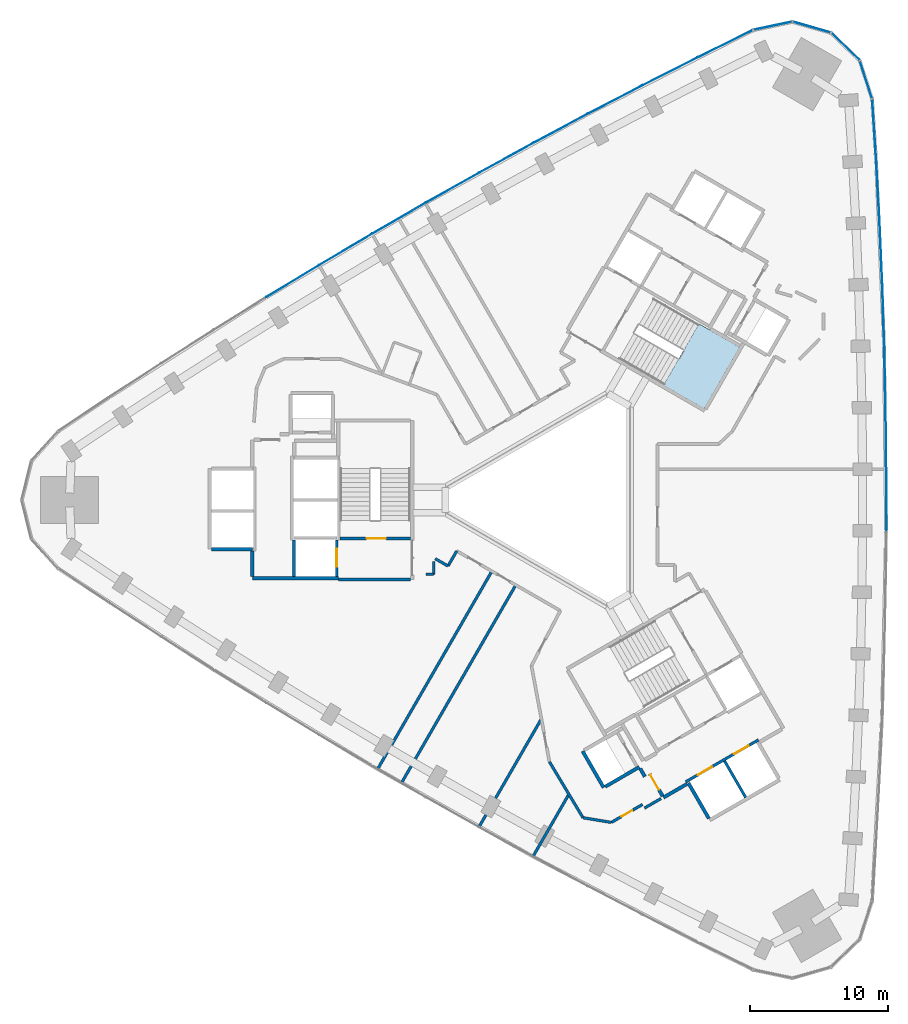
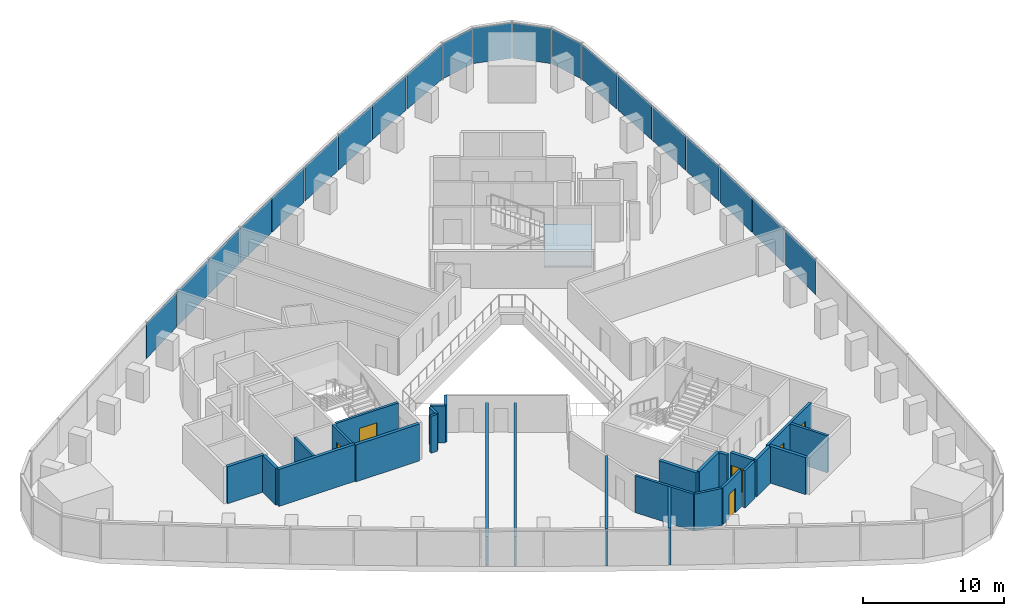
# One storey, part 7 of 12: 27 walls, 20 plates, 6 doors, 1 slab, 6 openings, 3 elements without a shape of their own.
"""IFC4 building model written with IfcOpenShell, lengths in metres."""

import ifcopenshell
import ifcopenshell.guid

model = None  # the IFC model being written
_history = None  # IfcOwnerHistory: only IFC2X3 demands one
_inside = {}  # id of a spatial element -> (the spatial element, [elements in it])
_under = {}  # id of a project, library or spatial element -> (it, [spatial elements below it])
_declared = {}  # id of a project -> (the project, [libraries it declares])
_typed = {}  # id of a type object -> (the type object, [elements of that type])
_made_of = {}  # id of a material, layer set ... -> (it, [elements and type objects made of it])


def new_model(schema):
    """Start an empty IFC model of exactly this schema.

    Asked for "IFC4X3", IfcOpenShell would pick the latest addendum, in which some entities
    have other attributes; the version numbers below select the first issue.
    IFC2X3 requires an IfcOwnerHistory on every rooted entity: one is made here for all.
    """
    global model, _history
    if schema == "IFC4X3":
        model = ifcopenshell.file(schema_version=(4, 3, 0, 0))
    else:
        model = ifcopenshell.file(schema=schema)
    _inside.clear()
    _under.clear()
    _declared.clear()
    _typed.clear()
    _made_of.clear()
    _history = None
    if model.schema == "IFC2X3":
        org = make("IfcOrganization", Name="unknown")
        user = make(
            "IfcPersonAndOrganization",
            ThePerson=make("IfcPerson", FamilyName="unknown"),
            TheOrganization=org,
        )
        app = make(
            "IfcApplication",
            ApplicationDeveloper=org,
            Version="unknown",
            ApplicationFullName="unknown",
            ApplicationIdentifier="unknown",
        )
        _history = make(
            "IfcOwnerHistory",
            OwningUser=user,
            OwningApplication=app,
            ChangeAction="ADDED",
            CreationDate=0,
        )
    return model


def make(cls, **values):
    """One entity of the class cls with the attributes given. An attribute that is None is left unset."""
    return model.create_entity(
        cls, **{name: value for name, value in values.items() if value is not None}
    )


def rooted(cls, **values):
    """An entity with a GlobalId (a new one), such as an element, a storey or a relation."""
    return make(cls, GlobalId=ifcopenshell.guid.new(), OwnerHistory=_history, **values)


def si_unit(unit_type, name, prefix=None):
    """IfcSIUnit, for example si_unit("LENGTHUNIT", "METRE", prefix="MILLI")."""
    return make("IfcSIUnit", UnitType=unit_type, Prefix=prefix, Name=name)


def assignment(units):
    """IfcUnitAssignment: the units of a project."""
    return None if units is None else make("IfcUnitAssignment", Units=units)


def point(xyz):
    """IfcCartesianPoint."""
    return None if xyz is None else make("IfcCartesianPoint", Coordinates=xyz)


def direction(xyz):
    """IfcDirection."""
    return None if xyz is None else make("IfcDirection", DirectionRatios=xyz)


def frame(location, z_axis=None, x_axis=None):
    """IfcAxis2Placement3D, a coordinate frame: its origin and axes. An axis left out is left unset."""
    return make(
        "IfcAxis2Placement3D",
        Location=point(location),
        Axis=direction(z_axis),
        RefDirection=direction(x_axis),
    )


def frame_2d(location, x_axis=None):
    """IfcAxis2Placement2D, a coordinate frame in the plane: its origin and x axis."""
    return make(
        "IfcAxis2Placement2D", Location=point(location), RefDirection=direction(x_axis)
    )


def origin():
    """The frame at (0, 0, 0) with its axes left unset."""
    return frame((0.0, 0.0, 0.0))


def origin_2d():
    """The frame at (0, 0) in the plane with its x axis left unset."""
    return frame_2d((0.0, 0.0))


def place(relative_to, where):
    """IfcLocalPlacement: puts the frame where relative to a parent placement (None: the world)."""
    return make(
        "IfcLocalPlacement", PlacementRelTo=relative_to, RelativePlacement=where
    )


def context(
    kind, dimensions, precision=None, world=None, true_north=None, identifier=None
):
    """IfcGeometricRepresentationContext, for example the 3D "Model" context."""
    return make(
        "IfcGeometricRepresentationContext",
        ContextIdentifier=identifier,
        ContextType=kind,
        CoordinateSpaceDimension=dimensions,
        Precision=precision,
        WorldCoordinateSystem=world,
        TrueNorth=true_north,
    )


def subcontext(parent, identifier, kind, view, scale=None):
    """IfcGeometricRepresentationSubContext, for example "Body" below "Model"."""
    return make(
        "IfcGeometricRepresentationSubContext",
        ContextIdentifier=identifier,
        ContextType=kind,
        ParentContext=parent,
        TargetScale=scale,
        TargetView=view,
    )


def project(units=None, contexts=None):
    """IfcProject with its units and contexts."""
    return rooted(
        "IfcProject",
        Name="project",
        RepresentationContexts=contexts,
        UnitsInContext=assignment(units),
    )


def spatial(cls, under=None, at=None, **own):
    """A site, building, storey or space (cls), placed at a placement, below another one or the project."""
    s = rooted(cls, ObjectPlacement=at, **own)
    if under is not None:
        _under.setdefault(under.id(), (under, []))[1].append(s)
    return s


def polyline(points):
    """IfcPolyline through the points."""
    return make("IfcPolyline", Points=[point(p) for p in points])


def profile(cls, at=None, kind="AREA", **sizes):
    """A parametric profile (cls). Its sizes go by their IFC names, for example OverallWidth=200.0."""
    return make(cls, ProfileType=kind, Position=at, **sizes)


def rectangle(**sizes):
    """IfcRectangleProfileDef."""
    return profile("IfcRectangleProfileDef", **sizes)


def outline(outer, holes=None, kind="AREA"):
    """IfcArbitraryClosedProfileDef: a profile drawn as a closed curve; with holes, ...WithVoids."""
    if holes is None:
        return make("IfcArbitraryClosedProfileDef", ProfileType=kind, OuterCurve=outer)
    return make(
        "IfcArbitraryProfileDefWithVoids",
        ProfileType=kind,
        OuterCurve=outer,
        InnerCurves=holes,
    )


def extrude(swept, where, along, depth):
    """IfcExtrudedAreaSolid: the profile swept, set in the frame where, extruded along a direction by depth."""
    return make(
        "IfcExtrudedAreaSolid",
        SweptArea=swept,
        Position=where,
        ExtrudedDirection=direction(along),
        Depth=depth,
    )


def shape(context_of_items, identifier, shape_type, items):
    """IfcShapeRepresentation: the items that make up one representation, for example the "Body"."""
    return make(
        "IfcShapeRepresentation",
        ContextOfItems=context_of_items,
        RepresentationIdentifier=identifier,
        RepresentationType=shape_type,
        Items=items,
    )


def material(Name=None, Category=None):
    """IfcMaterial."""
    return make("IfcMaterial", Name=Name, Category=Category)


def layer(
    of_material, thickness, ventilated=None, Name=None, Category=None, Priority=None
):
    """IfcMaterialLayer: one layer of a wall or slab, of a material (None: an air gap)."""
    return make(
        "IfcMaterialLayer",
        Material=of_material,
        LayerThickness=thickness,
        IsVentilated=ventilated,
        Name=Name,
        Category=Category,
        Priority=Priority,
    )


def layer_set(layers, Name=None):
    """IfcMaterialLayerSet."""
    return make("IfcMaterialLayerSet", MaterialLayers=layers, LayerSetName=Name)


def made_of(thing, what):
    """Note that an element or type object is made of a material, layer set ...; save() writes the relation."""
    if what is not None:
        _made_of.setdefault(what.id(), (what, []))[1].append(thing)
    return thing


def type_object(cls, material=None, **own):
    """A type object (cls), such as IfcWallType, which elements share."""
    return made_of(rooted(cls, **own), material)


def element(
    cls,
    number,
    at=None,
    inside=None,
    cuts=None,
    type_object=None,
    material=None,
    context=None,
    identifier="Body",
    shape_type=None,
    held_by="IfcProductDefinitionShape",
    body=None,
    shapes=None,
    **own,
):
    """One element of the class cls, such as IfcWall. Its Tag is "e" and its number.

    at: its placement. inside: the storey or other place that contains it. cuts: it is an
    opening in that element (IfcRelVoidsElement). A single representation is given by context,
    identifier, shape_type and body (its items); several are given by shapes. held_by: the class
    of the entity that holds the representations. save() writes the other relations.
    """
    e = rooted(cls, Tag="e%d" % number, ObjectPlacement=at, **own)
    if body is not None:
        shapes = [shape(context, identifier, shape_type, body)]
    if shapes is not None:
        e.Representation = make(held_by, Representations=shapes)
    if inside is not None:
        _inside.setdefault(inside.id(), (inside, []))[1].append(e)
    if cuts is not None:
        rooted(
            "IfcRelVoidsElement", RelatingBuildingElement=cuts, RelatedOpeningElement=e
        )
    if type_object is not None:
        _typed.setdefault(type_object.id(), (type_object, []))[1].append(e)
    return made_of(e, material)


def fill(opening, filler):
    """IfcRelFillsElement: the door or window that sits in an opening."""
    return rooted(
        "IfcRelFillsElement",
        RelatingOpeningElement=opening,
        RelatedBuildingElement=filler,
    )


def aggregate(whole, parts):
    """IfcRelAggregates: a whole, such as a stair, and the parts it consists of."""
    return rooted("IfcRelAggregates", RelatingObject=whole, RelatedObjects=parts)


def save(model, path):
    """Write the relations noted so far, then the file.

    IfcRelAggregates (storeys below a building ...), IfcRelContainedInSpatialStructure (elements
    in a storey), IfcRelDefinesByType, IfcRelAssociatesMaterial and IfcRelDeclares: one each for
    every whole, place, type object, material and project.
    """
    for whole, parts in _under.values():
        aggregate(whole, parts)
    for where, things in _inside.values():
        rooted(
            "IfcRelContainedInSpatialStructure",
            RelatedElements=things,
            RelatingStructure=where,
        )
    for kind, things in _typed.values():
        rooted("IfcRelDefinesByType", RelatedObjects=things, RelatingType=kind)
    for what, things in _made_of.values():
        rooted("IfcRelAssociatesMaterial", RelatedObjects=things, RelatingMaterial=what)
    for by, libraries in _declared.values():
        rooted("IfcRelDeclares", RelatingContext=by, RelatedDefinitions=libraries)
    model.write(path)


model = new_model("IFC4")

# Units and contexts
model_context = context("Model", 3, precision=1e-05, world=origin(), true_north=direction((0.0, 1.0)))
body_context = subcontext(model_context, "Body", "Model", "MODEL_VIEW")
ifc_project = project(units=[si_unit("LENGTHUNIT", "METRE"), si_unit("AREAUNIT", "SQUARE_METRE"), si_unit("VOLUMEUNIT", "CUBIC_METRE"), si_unit("PLANEANGLEUNIT", "RADIAN"), si_unit("MASSUNIT", "GRAM", prefix="KILO")], contexts=[model_context])

# Site, building, storey
site_placement = place(None, origin())
site = spatial("IfcSite", under=ifc_project, at=site_placement, CompositionType="ELEMENT")
building_placement = place(site_placement, origin())
building = spatial("IfcBuilding", under=site, at=building_placement, Name="Tamra Quay Hotel Tower", CompositionType="ELEMENT")
storey_placement = place(building_placement, frame((0.0, 0.0, 71.0)))
storey = spatial("IfcBuildingStorey", under=building, at=storey_placement, Name="L16", CompositionType="ELEMENT", Elevation=71.0)

# Stair, slab
ifc_material_1 = material(Name="Exit stair 2200 24 risers 150.0 going 342")
stair_type = type_object("IfcStairType", Name="Exit stair 2200 24 risers 150.0 going 342", PredefinedType="HALF_TURN_STAIR", material=ifc_material_1)
stair_placement = place(storey_placement, origin())
stair = element("IfcStair", 1, at=stair_placement, inside=storey, type_object=stair_type, Name="L16 Exit stair ST1", PredefinedType="HALF_TURN_STAIR")
ifc_material_2 = material(Name="Concrete M70", Category="concrete")
ifc_layer_1 = layer(ifc_material_2, 0.175048828125)
ifc_layer_set_1 = layer_set([ifc_layer_1], Name="Concrete M70 stair landing 180")
slab_type = type_object("IfcSlabType", Name="Concrete M70 stair landing 180", PredefinedType="LANDING", material=ifc_layer_set_1)
slab_placement = place(storey_placement, frame((0.0, 0.0, 1.625)))
slab = element("IfcSlab", 2, at=slab_placement, type_object=slab_type, Name="ST1 landing 1", PredefinedType="LANDING", context=body_context, shape_type="SweptSolid", body=[
    extrude(outline(polyline([(7.425048828125, 8.336669921875), (10.385009765625, 6.627685546875), (12.964599609375, 11.095458984375), (10.00439453125, 12.804443359375), (7.425048828125, 8.336669921875)])), origin(), (0.0, 0.0, 1.0), 0.175048828125),
])
aggregate(stair, [slab])

# Curtain wall, plates
ifc_material_3 = material(Name="Aluminium 6063 anodised dark grey", Category="aluminium")
curtain_wall_type_1 = type_object("IfcCurtainWallType", Name="CW1 CURTAIN WALL", PredefinedType="NOTDEFINED", material=ifc_material_3)
curtain_wall_1_placement = place(storey_placement, origin())
curtain_wall_1 = element("IfcCurtainWall", 3, at=curtain_wall_1_placement, inside=storey, type_object=curtain_wall_type_1, Name="CW1 east face L16", PredefinedType="NOTDEFINED")
ifc_material_4 = material(Name="Glass clear laminated low-iron", Category="glass")
ifc_layer_2 = layer(ifc_material_4, 0.035888671875)
ifc_layer_set_2 = layer_set([ifc_layer_2], Name="GLASS PANEL CW1 Z1")
plate_type_1 = type_object("IfcPlateType", Name="GLASS PANEL CW1 Z1", PredefinedType="CURTAIN_PANEL", material=ifc_layer_set_2)
plate_1_placement = place(storey_placement, frame((23.618408203125, 0.0, 0.0), z_axis=(0.0, 0.0, 1.0), x_axis=(0.0, 1.0, 0.0)))
plate_1 = element("IfcPlate", 4, at=plate_1_placement, type_object=plate_type_1, Name="CW1 glass L16.E.7", PredefinedType="CURTAIN_PANEL", context=body_context, shape_type="SweptSolid", body=[
    extrude(rectangle(XDim=4.388671875, YDim=0.035888671875, at=origin_2d()), origin(), (0.0, 0.0, 1.0), 3.06005859375),
])
plate_2_placement = place(storey_placement, frame((23.593994140625, 4.488525390625, 0.0), z_axis=(0.0, 0.0, 1.0), x_axis=(-0.010836354168, 0.99994128499, 0.0)))
plate_2 = element("IfcPlate", 5, at=plate_2_placement, type_object=plate_type_1, Name="CW1 glass L16.E.8", PredefinedType="CURTAIN_PANEL", context=body_context, shape_type="SweptSolid", body=[
    extrude(rectangle(XDim=4.388671875, YDim=0.035888671875, at=origin_2d()), origin(), (0.0, 0.0, 1.0), 3.06005859375),
])
plate_3_placement = place(storey_placement, frame((23.52099609375, 8.97705078125, 0.0), z_axis=(0.0, 0.0, 1.0), x_axis=(-0.021657653853, 0.999765445507, 0.0)))
plate_3 = element("IfcPlate", 6, at=plate_3_placement, type_object=plate_type_1, Name="CW1 glass L16.E.9", PredefinedType="CURTAIN_PANEL", context=body_context, shape_type="SweptSolid", body=[
    extrude(rectangle(XDim=4.3896484375, YDim=0.035888671875, at=origin_2d()), origin(), (0.0, 0.0, 1.0), 3.06005859375),
])
plate_4_placement = place(storey_placement, frame((23.399658203125, 13.464599609375, 0.0), z_axis=(0.0, 0.0, 1.0), x_axis=(-0.032474671117, 0.999472558771, 0.0)))
plate_4 = element("IfcPlate", 7, at=plate_4_placement, type_object=plate_type_1, Name="CW1 glass L16.E.10", PredefinedType="CURTAIN_PANEL", context=body_context, shape_type="SweptSolid", body=[
    extrude(rectangle(XDim=4.388671875, YDim=0.035888671875, at=origin_2d()), origin(), (0.0, 0.0, 1.0), 3.06005859375),
])
plate_5_placement = place(storey_placement, frame((23.2294921875, 17.949951171875, 0.0), z_axis=(0.0, 0.0, 1.0), x_axis=(-0.04328585604, 0.999062728094, 0.0)))
plate_5 = element("IfcPlate", 8, at=plate_5_placement, type_object=plate_type_1, Name="CW1 glass L16.E.11", PredefinedType="CURTAIN_PANEL", context=body_context, shape_type="SweptSolid", body=[
    extrude(rectangle(XDim=4.388671875, YDim=0.035888671875, at=origin_2d()), origin(), (0.0, 0.0, 1.0), 3.06005859375),
])
plate_6_placement = place(storey_placement, frame((23.010986328125, 22.433837890625, 0.0), z_axis=(0.0, 0.0, 1.0), x_axis=(-0.054062166947, 0.998537571704, 0.0)))
plate_6 = element("IfcPlate", 9, at=plate_6_placement, type_object=plate_type_1, Name="CW1 glass L16.E.12", PredefinedType="CURTAIN_PANEL", context=body_context, shape_type="SweptSolid", body=[
    extrude(rectangle(XDim=4.3896484375, YDim=0.035888671875, at=origin_2d()), origin(), (0.0, 0.0, 1.0), 3.06005859375),
])
plate_7_placement = place(storey_placement, frame((22.744140625, 26.914794921875, 0.0), z_axis=(0.0, 0.0, 1.0), x_axis=(-0.064813190551, 0.997897414733, 0.0)))
plate_7 = element("IfcPlate", 10, at=plate_7_placement, type_object=plate_type_1, Name="CW1 glass L16.E.13", PredefinedType="CURTAIN_PANEL", context=body_context, shape_type="SweptSolid", body=[
    extrude(rectangle(XDim=4.38818359375, YDim=0.035888671875, at=origin_2d()), origin(), (0.0, 0.0, 1.0), 3.06005859375),
])
plate_8_placement = place(storey_placement, frame((22.1484375, 30.5400390625, 0.0), z_axis=(0.0, 0.0, 1.0), x_axis=(-0.309040551826, 0.951048861693, 0.0)))
plate_8 = element("IfcPlate", 11, at=plate_8_placement, type_object=plate_type_1, Name="CW1 glass L16.E.14", PredefinedType="CURTAIN_PANEL", context=body_context, shape_type="SweptSolid", body=[
    extrude(rectangle(XDim=2.814697265625, YDim=0.035888671875, at=origin_2d()), origin(), (0.0, 0.0, 1.0), 3.06005859375),
])
plate_9_placement = place(storey_placement, frame((20.649658203125, 32.9384765625, 0.0), z_axis=(0.0, 0.0, 1.0), x_axis=(-0.719345535851, 0.694652431113, 0.0)))
plate_9 = element("IfcPlate", 12, at=plate_9_placement, type_object=plate_type_1, Name="CW1 glass L16.E.15", PredefinedType="CURTAIN_PANEL", context=body_context, shape_type="SweptSolid", body=[
    extrude(rectangle(XDim=2.814697265625, YDim=0.035888671875, at=origin_2d()), origin(), (0.0, 0.0, 1.0), 3.06005859375),
])
plate_10_placement = place(storey_placement, frame((18.20068359375, 34.352294921875, 0.0), z_axis=(0.0, 0.0, 1.0), x_axis=(-0.96125942007, 0.275645292589, 0.0)))
plate_10 = element("IfcPlate", 13, at=plate_10_placement, type_object=plate_type_1, Name="CW1 glass L16.E.16", PredefinedType="CURTAIN_PANEL", context=body_context, shape_type="SweptSolid", body=[
    extrude(rectangle(XDim=2.814697265625, YDim=0.035888671875, at=origin_2d()), origin(), (0.0, 0.0, 1.0), 3.06005859375),
])
plate_11_placement = place(storey_placement, frame((15.374267578125, 34.451171875, 0.0), z_axis=(0.0, 0.0, 1.0), x_axis=(-0.978152750379, -0.207887462165, 0.0)))
plate_11 = element("IfcPlate", 14, at=plate_11_placement, type_object=plate_type_1, Name="CW1 glass L16.E.17", PredefinedType="CURTAIN_PANEL", context=body_context, shape_type="SweptSolid", body=[
    extrude(rectangle(XDim=2.814697265625, YDim=0.035888671875, at=origin_2d()), origin(), (0.0, 0.0, 1.0), 3.06005859375),
])
aggregate(curtain_wall_1, [plate_1, plate_2, plate_3, plate_4, plate_5, plate_6, plate_7, plate_8, plate_9, plate_10, plate_11])

curtain_wall_type_2 = type_object("IfcCurtainWallType", Name="CW2 CURTAIN WALL", PredefinedType="NOTDEFINED", material=ifc_material_3)
curtain_wall_2_placement = place(storey_placement, origin())
curtain_wall_2 = element("IfcCurtainWall", 15, at=curtain_wall_2_placement, inside=storey, type_object=curtain_wall_type_2, Name="CW2 north-west face L16", PredefinedType="NOTDEFINED")
ifc_layer_3 = layer(ifc_material_4, 0.035888671875)
ifc_layer_set_3 = layer_set([ifc_layer_3], Name="GLASS PANEL CW2 Z1")
plate_type_2 = type_object("IfcPlateType", Name="GLASS PANEL CW2 Z1", PredefinedType="CURTAIN_PANEL", material=ifc_layer_set_3)
plate_12_placement = place(storey_placement, frame((11.936767578125, 33.154541015625, 0.0), z_axis=(0.0, 0.0, 1.0), x_axis=(-0.896611106805, -0.442818837849, 0.0)))
plate_12 = element("IfcPlate", 16, at=plate_12_placement, type_object=plate_type_2, Name="CW2 glass L16.NW.1", PredefinedType="CURTAIN_PANEL", context=body_context, shape_type="SweptSolid", body=[
    extrude(rectangle(XDim=4.38818359375, YDim=0.035888671875, at=origin_2d()), origin(), (0.0, 0.0, 1.0), 3.06005859375),
])
plate_13_placement = place(storey_placement, frame((7.9228515625, 31.14501953125, 0.0), z_axis=(0.0, 0.0, 1.0), x_axis=(-0.891789987202, -0.452449575893, 0.0)))
plate_13 = element("IfcPlate", 17, at=plate_13_placement, type_object=plate_type_2, Name="CW2 glass L16.NW.2", PredefinedType="CURTAIN_PANEL", context=body_context, shape_type="SweptSolid", body=[
    extrude(rectangle(XDim=4.3896484375, YDim=0.035888671875, at=origin_2d()), origin(), (0.0, 0.0, 1.0), 3.06005859375),
])
plate_14_placement = place(storey_placement, frame((3.930419921875, 29.09228515625, 0.0), z_axis=(0.0, 0.0, 1.0), x_axis=(-0.886856630524, -0.462044713092, 0.0)))
plate_14 = element("IfcPlate", 18, at=plate_14_placement, type_object=plate_type_2, Name="CW2 glass L16.NW.3", PredefinedType="CURTAIN_PANEL", context=body_context, shape_type="SweptSolid", body=[
    extrude(rectangle(XDim=4.388671875, YDim=0.035888671875, at=origin_2d()), origin(), (0.0, 0.0, 1.0), 3.06005859375),
])
plate_15_placement = place(storey_placement, frame((-0.0390625, 26.996826171875, 0.0), z_axis=(0.0, 0.0, 1.0), x_axis=(-0.88180596184, -0.471612389218, 0.0)))
plate_15 = element("IfcPlate", 19, at=plate_15_placement, type_object=plate_type_2, Name="CW2 glass L16.NW.4", PredefinedType="CURTAIN_PANEL", context=body_context, shape_type="SweptSolid", body=[
    extrude(rectangle(XDim=4.388671875, YDim=0.035888671875, at=origin_2d()), origin(), (0.0, 0.0, 1.0), 3.06005859375),
])
plate_16_placement = place(storey_placement, frame((-3.986083984375, 24.8583984375, 0.0), z_axis=(0.0, 0.0, 1.0), x_axis=(-0.876651100562, -0.48112664433, 0.0)))
plate_16 = element("IfcPlate", 20, at=plate_16_placement, type_object=plate_type_2, Name="CW2 glass L16.NW.5", PredefinedType="CURTAIN_PANEL", context=body_context, shape_type="SweptSolid", body=[
    extrude(rectangle(XDim=4.3896484375, YDim=0.035888671875, at=origin_2d()), origin(), (0.0, 0.0, 1.0), 3.06005859375),
])
plate_17_placement = place(storey_placement, frame((-7.90966796875, 22.67724609375, 0.0), z_axis=(0.0, 0.0, 1.0), x_axis=(-0.871392732178, -0.490586084502, 0.0)))
plate_17 = element("IfcPlate", 21, at=plate_17_placement, type_object=plate_type_2, Name="CW2 glass L16.NW.6", PredefinedType="CURTAIN_PANEL", context=body_context, shape_type="SweptSolid", body=[
    extrude(rectangle(XDim=4.388671875, YDim=0.035888671875, at=origin_2d()), origin(), (0.0, 0.0, 1.0), 3.06005859375),
])
plate_18_placement = place(storey_placement, frame((-11.80908203125, 20.4541015625, 0.0), z_axis=(0.0, 0.0, 1.0), x_axis=(-0.866025403784, -0.5, 0.0)))
plate_18 = element("IfcPlate", 22, at=plate_18_placement, type_object=plate_type_2, Name="CW2 glass L16.NW.7", PredefinedType="CURTAIN_PANEL", context=body_context, shape_type="SweptSolid", body=[
    extrude(rectangle(XDim=4.388671875, YDim=0.035888671875, at=origin_2d()), origin(), (0.0, 0.0, 1.0), 3.06005859375),
])
plate_19_placement = place(storey_placement, frame((-15.684326171875, 18.188720703125, 0.0), z_axis=(0.0, 0.0, 1.0), x_axis=(-0.860556378011, -0.509355200489, 0.0)))
plate_19 = element("IfcPlate", 23, at=plate_19_placement, type_object=plate_type_2, Name="CW2 glass L16.NW.8", PredefinedType="CURTAIN_PANEL", context=body_context, shape_type="SweptSolid", body=[
    extrude(rectangle(XDim=4.388671875, YDim=0.035888671875, at=origin_2d()), origin(), (0.0, 0.0, 1.0), 3.06005859375),
])
plate_20_placement = place(storey_placement, frame((-19.534912109375, 15.88134765625, 0.0), z_axis=(0.0, 0.0, 1.0), x_axis=(-0.854993446708, -0.518638801177, 0.0)))
plate_20 = element("IfcPlate", 24, at=plate_20_placement, type_object=plate_type_2, Name="CW2 glass L16.NW.9", PredefinedType="CURTAIN_PANEL", context=body_context, shape_type="SweptSolid", body=[
    extrude(rectangle(XDim=4.3896484375, YDim=0.035888671875, at=origin_2d()), origin(), (0.0, 0.0, 1.0), 3.06005859375),
])
aggregate(curtain_wall_2, [plate_12, plate_13, plate_14, plate_15, plate_16, plate_17, plate_18, plate_19, plate_20])

# Wall, opening, door
ifc_layer_4 = layer(ifc_material_2, 0.199951171875)
ifc_layer_set_4 = layer_set([ifc_layer_4], Name="Concrete M70 core wall 200")
wall_type_1 = type_object("IfcWallType", Name="Concrete M70 core wall 200", PredefinedType="SHEAR", material=ifc_layer_set_4)
wall_1_placement = place(storey_placement, frame((-10.96337890625, -2.800048828125, 0.0), z_axis=(0.0, 0.0, 1.0), x_axis=(-1.0, 0.0, 0.0)))
wall_1 = element("IfcWall", 25, at=wall_1_placement, inside=storey, type_object=wall_type_1, Name="CW2", PredefinedType="SHEAR", context=body_context, shape_type="SweptSolid", body=[
    extrude(rectangle(XDim=5.097900390625, YDim=0.199951171875, at=frame_2d((2.548828125, 0.0))), origin(), (0.0, 0.0, 1.0), 3.199951171875),
])
opening_1_placement = place(wall_1_placement, frame((1.77392578125, 0.0, 0.0)))
opening_1 = element("IfcOpeningElement", 26, at=opening_1_placement, cuts=wall_1, Name="Opening FD2", PredefinedType="OPENING", context=body_context, shape_type="SweptSolid", body=[
    extrude(rectangle(XDim=1.39990234375, YDim=2.10009765625, at=frame_2d((0.699951171875, 1.050048828125))), frame((0.0, 0.10986328125, 0.0), z_axis=(0.0, -1.0, 0.0), x_axis=(1.0, 0.0, 0.0)), (0.0, 0.0, 1.0), 0.219970703125),
])
ifc_material_5 = material(Name="Core door FD2 1400x2100 RH")
door_type_1 = type_object("IfcDoorType", Name="Core door FD2 1400x2100 RH", OperationType="NOTDEFINED", PredefinedType="DOOR", material=ifc_material_5)
door_1_placement = place(opening_1_placement, origin())
door_1 = element("IfcDoor", 27, at=door_1_placement, inside=storey, type_object=door_type_1, Name="FD2", OperationType="SINGLE_SWING_RIGHT", OverallHeight=2.10009765625, OverallWidth=1.39990234375, PredefinedType="DOOR", context=body_context, shape_type="SweptSolid", body=[
    extrude(rectangle(XDim=1.39990234375, YDim=2.10009765625, at=frame_2d((0.699951171875, 1.050048828125))), frame((0.0, 0.02490234375, 0.0), z_axis=(0.0, -1.0, 0.0), x_axis=(1.0, 0.0, 0.0)), (0.0, 0.0, 1.0), 0.050048828125),
])
fill(opening_1, door_1)

wall_2_placement = place(storey_placement, frame((-16.312255859375, -2.898193359375, 0.0), z_axis=(0.0, 0.0, 1.0), x_axis=(0.0, -1.0, 0.0)))
wall_2 = element("IfcWall", 28, at=wall_2_placement, inside=storey, type_object=wall_type_1, Name="CW2", PredefinedType="SHEAR", context=body_context, shape_type="SweptSolid", body=[
    extrude(rectangle(XDim=2.65087890625, YDim=0.199951171875, at=frame_2d((1.325439453125, 0.0))), origin(), (0.0, 0.0, 1.0), 3.199951171875),
])
opening_2_placement = place(wall_2_placement, frame((0.65185546875, 0.0, 0.0)))
opening_2 = element("IfcOpeningElement", 29, at=opening_2_placement, cuts=wall_2, Name="Opening LD", PredefinedType="OPENING", context=body_context, shape_type="SweptSolid", body=[
    extrude(rectangle(XDim=1.300048828125, YDim=2.10009765625, at=frame_2d((0.64990234375, 1.050048828125))), frame((0.0, 0.10986328125, 0.0), z_axis=(0.0, -1.0, 0.0), x_axis=(1.0, 0.0, 0.0)), (0.0, 0.0, 1.0), 0.219970703125),
])
ifc_material_6 = material(Name="Landing door LD 1300 sliding to right")
door_type_2 = type_object("IfcDoorType", Name="Landing door LD 1300 sliding to right", OperationType="NOTDEFINED", PredefinedType="DOOR", material=ifc_material_6)
door_2_placement = place(opening_2_placement, origin())
door_2 = element("IfcDoor", 30, at=door_2_placement, inside=storey, type_object=door_type_2, Name="LD", OperationType="SLIDING_TO_RIGHT", OverallHeight=2.10009765625, OverallWidth=1.300048828125, PredefinedType="DOOR", context=body_context, shape_type="SweptSolid", body=[
    extrude(rectangle(XDim=1.300048828125, YDim=2.10009765625, at=frame_2d((0.64990234375, 1.050048828125))), frame((0.0, 0.02490234375, 0.0), z_axis=(0.0, -1.0, 0.0), x_axis=(1.0, 0.0, 0.0)), (0.0, 0.0, 1.0), 0.050048828125),
])
fill(opening_2, door_2)

# Wall
wall_3_placement = place(storey_placement, frame((-19.412353515625, -5.549072265625, 0.0), z_axis=(0.0, 0.0, 1.0), x_axis=(0.0, 1.0, 0.0)))
element("IfcWall", 31, at=wall_3_placement, inside=storey, type_object=wall_type_1, Name="CW2", PredefinedType="SHEAR", context=body_context, shape_type="SweptSolid", body=[
    extrude(rectangle(XDim=2.65087890625, YDim=0.199951171875, at=frame_2d((1.325439453125, 0.0))), origin(), (0.0, 0.0, 1.0), 3.199951171875),
])

# Wall, openings, doors
wall_4_placement = place(storey_placement, frame((9.052490234375, -20.479736328125, 0.0), z_axis=(0.0, 0.0, 1.0), x_axis=(0.866030299012, 0.499991521122, 0.0)))
wall_4 = element("IfcWall", 32, at=wall_4_placement, inside=storey, type_object=wall_type_1, Name="CW2", PredefinedType="SHEAR", context=body_context, shape_type="SweptSolid", body=[
    extrude(rectangle(XDim=6.10009765625, YDim=0.199951171875, at=frame_2d((3.050048828125, 0.0))), origin(), (0.0, 0.0, 1.0), 3.199951171875),
])
opening_3_placement = place(wall_4_placement, frame((1.0, 0.0, 0.0)))
opening_3 = element("IfcOpeningElement", 33, at=opening_3_placement, cuts=wall_4, Name="Opening LD", PredefinedType="OPENING", context=body_context, shape_type="SweptSolid", body=[
    extrude(rectangle(XDim=1.199951171875, YDim=2.10009765625, at=frame_2d((0.60009765625, 1.050048828125))), frame((0.0, 0.10986328125, 0.0), z_axis=(0.0, -1.0, 0.0), x_axis=(1.0, 0.0, 0.0)), (0.0, 0.0, 1.0), 0.219970703125),
])
opening_4_placement = place(wall_4_placement, frame((4.05029296875, 0.0, 0.0)))
opening_4 = element("IfcOpeningElement", 34, at=opening_4_placement, cuts=wall_4, Name="Opening LD", PredefinedType="OPENING", context=body_context, shape_type="SweptSolid", body=[
    extrude(rectangle(XDim=1.199951171875, YDim=2.10009765625, at=frame_2d((0.60009765625, 1.050048828125))), frame((0.0, 0.10986328125, 0.0), z_axis=(0.0, -1.0, 0.0), x_axis=(1.0, 0.0, 0.0)), (0.0, 0.0, 1.0), 0.219970703125),
])
ifc_material_7 = material(Name="Landing door LD 1200 double door sliding")
door_type_3 = type_object("IfcDoorType", Name="Landing door LD 1200 double door sliding", OperationType="DOUBLE_DOOR_SLIDING", PredefinedType="DOOR", material=ifc_material_7)
door_3_placement = place(opening_3_placement, origin())
door_3 = element("IfcDoor", 35, at=door_3_placement, inside=storey, type_object=door_type_3, Name="LD", OperationType="DOUBLE_DOOR_SLIDING", OverallHeight=2.10009765625, OverallWidth=1.199951171875, PredefinedType="DOOR", context=body_context, shape_type="SweptSolid", body=[
    extrude(rectangle(XDim=1.199951171875, YDim=2.10009765625, at=frame_2d((0.60009765625, 1.050048828125))), frame((0.0, 0.02490234375, 0.0), z_axis=(0.0, -1.0, 0.0), x_axis=(1.0, 0.0, 0.0)), (0.0, 0.0, 1.0), 0.050048828125),
])
fill(opening_3, door_3)
door_4_placement = place(opening_4_placement, origin())
door_4 = element("IfcDoor", 36, at=door_4_placement, inside=storey, type_object=door_type_3, Name="LD", OperationType="DOUBLE_DOOR_SLIDING", OverallHeight=2.10009765625, OverallWidth=1.199951171875, PredefinedType="DOOR", context=body_context, shape_type="SweptSolid", body=[
    extrude(rectangle(XDim=1.199951171875, YDim=2.10009765625, at=frame_2d((0.60009765625, 1.050048828125))), frame((0.0, 0.02490234375, 0.0), z_axis=(0.0, -1.0, 0.0), x_axis=(1.0, 0.0, 0.0)), (0.0, 0.0, 1.0), 0.050048828125),
])
fill(opening_4, door_4)

# Walls
wall_5_placement = place(storey_placement, frame((11.87451171875, -18.967041015625, 0.0), z_axis=(0.0, 0.0, 1.0), x_axis=(0.49998131003, -0.866036194175, 0.0)))
element("IfcWall", 37, at=wall_5_placement, inside=storey, type_object=wall_type_1, Name="CW2", PredefinedType="SHEAR", context=body_context, shape_type="SweptSolid", body=[
    extrude(rectangle(XDim=3.0478515625, YDim=0.199951171875, at=frame_2d((1.52392578125, 0.0))), origin(), (0.0, 0.0, 1.0), 3.199951171875),
])
ifc_layer_5 = layer(ifc_material_2, 0.25)
ifc_layer_set_5 = layer_set([ifc_layer_5], Name="Concrete M70 core wall 250")
wall_type_2 = type_object("IfcWallType", Name="Concrete M70 core wall 250", PredefinedType="SHEAR", material=ifc_layer_set_5)
wall_6_placement = place(storey_placement, frame((-16.187255859375, -5.675048828125, 0.0), z_axis=(0.0, 0.0, 1.0), x_axis=(-1.0, 0.0, 0.0)))
element("IfcWall", 38, at=wall_6_placement, inside=storey, type_object=wall_type_2, Name="CW1", PredefinedType="SHEAR", context=body_context, shape_type="SweptSolid", body=[
    extrude(rectangle(XDim=6.25, YDim=0.25, at=frame_2d((3.125, 0.0))), origin(), (0.0, 0.0, 1.0), 3.199951171875),
])
wall_7_placement = place(storey_placement, frame((-10.962646484375, -5.77490234375, 0.0), z_axis=(0.0, 0.0, 1.0), x_axis=(-1.0, 0.0, 0.0)))
element("IfcWall", 39, at=wall_7_placement, inside=storey, type_object=wall_type_2, Name="CW1", PredefinedType="SHEAR", context=body_context, shape_type="SweptSolid", body=[
    extrude(rectangle(XDim=5.224609375, YDim=0.25, at=frame_2d((2.6123046875, 0.0))), origin(), (0.0, 0.0, 1.0), 3.199951171875),
])
wall_8_placement = place(storey_placement, frame((-22.437255859375, -3.574951171875, 0.0), z_axis=(0.0, 0.0, 1.0), x_axis=(-1.0, 0.0, 0.0)))
element("IfcWall", 40, at=wall_8_placement, inside=storey, type_object=wall_type_2, Name="CW1", PredefinedType="SHEAR", context=body_context, shape_type="SweptSolid", body=[
    extrude(rectangle(XDim=2.974609375, YDim=0.25, at=frame_2d((1.4873046875, 0.0))), origin(), (0.0, 0.0, 1.0), 3.199951171875),
])
wall_9_placement = place(storey_placement, frame((-22.437255859375, -5.549560546875, 0.0), z_axis=(0.0, 0.0, 1.0), x_axis=(0.0, 1.0, 0.0)))
element("IfcWall", 41, at=wall_9_placement, inside=storey, type_object=wall_type_2, Name="CW1", PredefinedType="SHEAR", context=body_context, shape_type="SweptSolid", body=[
    extrude(rectangle(XDim=1.84912109375, YDim=0.25, at=frame_2d((0.924560546875, 0.0))), origin(), (0.0, 0.0, 1.0), 3.199951171875),
])
wall_10_placement = place(storey_placement, frame((10.73583984375, -23.144775390625, 0.0), z_axis=(0.0, 0.0, 1.0), x_axis=(-0.500023226632, 0.866011993467, 0.0)))
element("IfcWall", 42, at=wall_10_placement, inside=storey, type_object=wall_type_2, Name="CW1", PredefinedType="SHEAR", context=body_context, shape_type="SweptSolid", body=[
    extrude(rectangle(XDim=2.974365234375, YDim=0.25, at=frame_2d((1.4873046875, 0.0))), origin(), (0.0, 0.0, 1.0), 3.199951171875),
])
wall_11_placement = place(storey_placement, frame((3.085205078125, -20.893798828125, 0.0), z_axis=(0.0, 0.0, 1.0), x_axis=(-0.499978833458, 0.866037623948, 0.0)))
element("IfcWall", 43, at=wall_11_placement, inside=storey, type_object=wall_type_2, Name="CW1", PredefinedType="SHEAR", context=body_context, shape_type="SweptSolid", body=[
    extrude(rectangle(XDim=3.050048828125, YDim=0.25, at=frame_2d((1.52490234375, 0.0))), origin(), (0.0, 0.0, 1.0), 3.199951171875),
])
wall_12_placement = place(storey_placement, frame((5.6748046875, -19.39892578125, 0.0), z_axis=(0.0, 0.0, 1.0), x_axis=(-0.866026637627, -0.499997862916, 0.0)))
element("IfcWall", 44, at=wall_12_placement, inside=storey, type_object=wall_type_2, Name="CW1", PredefinedType="SHEAR", context=body_context, shape_type="SweptSolid", body=[
    extrude(rectangle(XDim=2.86474609375, YDim=0.25, at=frame_2d((1.432373046875, 0.0))), origin(), (0.0, 0.0, 1.0), 3.199951171875),
])
wall_13_placement = place(storey_placement, frame((9.139892578125, -20.63134765625, 0.0), z_axis=(0.0, 0.0, 1.0), x_axis=(-0.866043531843, -0.499968599967, 0.0)))
element("IfcWall", 45, at=wall_13_placement, inside=storey, type_object=wall_type_2, Name="CW1", PredefinedType="SHEAR", context=body_context, shape_type="SweptSolid", body=[
    extrude(rectangle(XDim=1.974853515625, YDim=0.25, at=frame_2d((0.9873046875, 0.0))), origin(), (0.0, 0.0, 1.0), 3.199951171875),
])

# Wall, opening, door
wall_14_placement = place(storey_placement, frame((7.3671875, -21.51025390625, 0.0), z_axis=(0.0, 0.0, 1.0), x_axis=(-0.499983108224, 0.866035156036, 0.0)))
wall_14 = element("IfcWall", 46, at=wall_14_placement, inside=storey, type_object=wall_type_2, Name="CW1", PredefinedType="SHEAR", context=body_context, shape_type="SweptSolid", body=[
    extrude(rectangle(XDim=1.86474609375, YDim=0.25, at=frame_2d((0.932373046875, 0.0))), origin(), (0.0, 0.0, 1.0), 3.199951171875),
])
opening_5_placement = place(wall_14_placement, frame((0.53466796875, 0.0, 0.0)))
opening_5 = element("IfcOpeningElement", 47, at=opening_5_placement, cuts=wall_14, Name="Opening FD3", PredefinedType="OPENING", context=body_context, shape_type="SweptSolid", body=[
    extrude(rectangle(XDim=1.25, YDim=2.10009765625, at=frame_2d((0.625, 1.050048828125))), frame((0.0, 0.135009765625, 0.0), z_axis=(0.0, -1.0, 0.0), x_axis=(1.0, 0.0, 0.0)), (0.0, 0.0, 1.0), 0.27001953125),
])
ifc_material_8 = material(Name="Core door FD3 1250x2100 LH")
door_type_4 = type_object("IfcDoorType", Name="Core door FD3 1250x2100 LH", OperationType="NOTDEFINED", PredefinedType="DOOR", material=ifc_material_8)
door_5_placement = place(opening_5_placement, origin())
door_5 = element("IfcDoor", 48, at=door_5_placement, inside=storey, type_object=door_type_4, Name="FD3", OperationType="SINGLE_SWING_LEFT", OverallHeight=2.10009765625, OverallWidth=1.25, PredefinedType="DOOR", context=body_context, shape_type="SweptSolid", body=[
    extrude(rectangle(XDim=1.25, YDim=2.10009765625, at=frame_2d((0.625, 1.050048828125))), frame((0.0, 0.02490234375, 0.0), z_axis=(0.0, -1.0, 0.0), x_axis=(1.0, 0.0, 0.0)), (0.0, 0.0, 1.0), 0.050048828125),
])
fill(opening_5, door_5)

# Walls
wall_15_placement = place(storey_placement, frame((6.07958984375, -20.100341796875, 0.0), z_axis=(0.0, 0.0, 1.0), x_axis=(-0.500051773299, 0.865995510393, 0.0)))
element("IfcWall", 49, at=wall_15_placement, inside=storey, type_object=wall_type_2, Name="CW1", PredefinedType="SHEAR", context=body_context, shape_type="SweptSolid", body=[
    extrude(rectangle(XDim=0.6845703125, YDim=0.25, at=frame_2d((0.34228515625, 0.0))), origin(), (0.0, 0.0, 1.0), 3.199951171875),
])
ifc_material_9 = material(Name="Partition corridor wall")
ifc_layer_6 = layer(ifc_material_9, 0.199951171875)
ifc_layer_set_6 = layer_set([ifc_layer_6], Name="Partition corridor wall")
wall_type_3 = type_object("IfcWallType", Name="Partition corridor wall", PredefinedType="PARTITIONING", material=ifc_layer_set_6)
wall_16_placement = place(storey_placement, frame((-9.81005859375, -5.39990234375, 0.0), z_axis=(0.0, 0.0, 1.0), x_axis=(1.0, 0.0, 0.0)))
element("IfcWall", 50, at=wall_16_placement, inside=storey, type_object=wall_type_3, Name="W-C", PredefinedType="PARTITIONING", context=body_context, shape_type="SweptSolid", body=[
    extrude(rectangle(XDim=0.548095703125, YDim=0.199951171875, at=frame_2d((0.27392578125, 0.0))), origin(), (0.0, 0.0, 1.0), 3.199951171875),
])
wall_17_placement = place(storey_placement, frame((-9.261962890625, -5.39990234375, 0.0), z_axis=(0.0, 0.0, 1.0), x_axis=(0.0, 1.0, 0.0)))
element("IfcWall", 51, at=wall_17_placement, inside=storey, type_object=wall_type_3, Name="W-C", PredefinedType="PARTITIONING", context=body_context, shape_type="SweptSolid", body=[
    extrude(rectangle(XDim=0.947998046875, YDim=0.199951171875, at=frame_2d((0.47412109375, 0.0))), origin(), (0.0, 0.0, 1.0), 3.199951171875),
])
wall_18_placement = place(storey_placement, frame((-9.154052734375, -4.262939453125, 0.0), z_axis=(0.0, 0.0, 1.0), x_axis=(0.866223394354, -0.499656913366, 0.0)))
element("IfcWall", 52, at=wall_18_placement, inside=storey, type_object=wall_type_3, Name="W-C", PredefinedType="PARTITIONING", context=body_context, shape_type="SweptSolid", body=[
    extrude(rectangle(XDim=1.074951171875, YDim=0.199951171875, at=frame_2d((0.53759765625, 0.0))), origin(), (0.0, 0.0, 1.0), 3.199951171875),
])
wall_19_placement = place(storey_placement, frame((-8.222900390625, -4.800048828125, 0.0), z_axis=(0.0, 0.0, 1.0), x_axis=(0.499866914522, 0.866102227088, 0.0)))
element("IfcWall", 53, at=wall_19_placement, inside=storey, type_object=wall_type_3, Name="W-C", PredefinedType="PARTITIONING", context=body_context, shape_type="SweptSolid", body=[
    extrude(rectangle(XDim=1.267822265625, YDim=0.199951171875, at=frame_2d((0.6337890625, 0.0))), origin(), (0.0, 0.0, 1.0), 3.199951171875),
])
wall_20_placement = place(storey_placement, frame((-0.85791015625, -19.01708984375, 0.0), z_axis=(0.0, 0.0, 1.0), x_axis=(0.514647068805, -0.857402119528, 0.0)))
element("IfcWall", 54, at=wall_20_placement, inside=storey, type_object=wall_type_3, Name="W-C", PredefinedType="PARTITIONING", context=body_context, shape_type="SweptSolid", body=[
    extrude(rectangle(XDim=4.745361328125, YDim=0.199951171875, at=frame_2d((2.37255859375, 0.0))), origin(), (0.0, 0.0, 1.0), 3.199951171875),
])
wall_21_placement = place(storey_placement, frame((1.583984375, -23.0859375, 0.0), z_axis=(0.0, 0.0, 1.0), x_axis=(0.986633159246, -0.162957077405, 0.0)))
element("IfcWall", 55, at=wall_21_placement, inside=storey, type_object=wall_type_3, Name="W-C", PredefinedType="PARTITIONING", context=body_context, shape_type="SweptSolid", body=[
    extrude(rectangle(XDim=2.0869140625, YDim=0.199951171875, at=frame_2d((1.04345703125, 0.0))), origin(), (0.0, 0.0, 1.0), 3.199951171875),
])

# Wall, opening, door
wall_22_placement = place(storey_placement, frame((3.64306640625, -23.426025390625, 0.0), z_axis=(0.0, 0.0, 1.0), x_axis=(0.866654350985, 0.498909045738, 0.0)))
wall_22 = element("IfcWall", 56, at=wall_22_placement, inside=storey, type_object=wall_type_3, Name="W-C", PredefinedType="PARTITIONING", context=body_context, shape_type="SweptSolid", body=[
    extrude(rectangle(XDim=2.607666015625, YDim=0.199951171875, at=frame_2d((1.3037109375, 0.0))), origin(), (0.0, 0.0, 1.0), 3.199951171875),
])
opening_6_placement = place(wall_22_placement, frame((0.85400390625, 0.0, 0.0)))
opening_6 = element("IfcOpeningElement", 57, at=opening_6_placement, cuts=wall_22, Name="Opening L16-D013", PredefinedType="OPENING", context=body_context, shape_type="SweptSolid", body=[
    extrude(rectangle(XDim=0.89990234375, YDim=2.10009765625, at=frame_2d((0.449951171875, 1.050048828125))), frame((0.0, 0.10986328125, 0.0), z_axis=(0.0, -1.0, 0.0), x_axis=(1.0, 0.0, 0.0)), (0.0, 0.0, 1.0), 0.219970703125),
])
ifc_material_10 = material(Name="Door service room 900x2100")
door_type_5 = type_object("IfcDoorType", Name="Door service room 900x2100", OperationType="NOTDEFINED", PredefinedType="DOOR", material=ifc_material_10)
door_6_placement = place(opening_6_placement, frame((0.89990234375, 0.0, 0.0), z_axis=(0.0, 0.0, 1.0), x_axis=(-1.0, 0.0, 0.0)))
door_6 = element("IfcDoor", 58, at=door_6_placement, inside=storey, type_object=door_type_5, Name="L16-D013", OperationType="SINGLE_SWING_LEFT", OverallHeight=2.10009765625, OverallWidth=0.89990234375, PredefinedType="DOOR", context=body_context, shape_type="SweptSolid", body=[
    extrude(rectangle(XDim=0.89990234375, YDim=2.10009765625, at=frame_2d((0.449951171875, 1.050048828125))), frame((0.0, 0.02490234375, 0.0), z_axis=(0.0, -1.0, 0.0), x_axis=(1.0, 0.0, 0.0)), (0.0, 0.0, 1.0), 0.050048828125),
])
fill(opening_6, door_6)

# Walls
wall_23_placement = place(storey_placement, frame((6.053955078125, -22.385009765625, 0.0), z_axis=(0.0, 0.0, 1.0), x_axis=(0.86593101922, 0.500163443238, 0.0)))
element("IfcWall", 59, at=wall_23_placement, inside=storey, type_object=wall_type_3, Name="W-C", PredefinedType="PARTITIONING", context=body_context, shape_type="SweptSolid", body=[
    extrude(rectangle(XDim=1.3896484375, YDim=0.199951171875, at=frame_2d((0.69482421875, 0.0))), origin(), (0.0, 0.0, 1.0), 3.199951171875),
])
ifc_material_11 = material(Name="Partition party wall")
ifc_layer_7 = layer(ifc_material_11, 0.199951171875)
ifc_layer_set_7 = layer_set([ifc_layer_7], Name="Partition party wall")
wall_type_4 = type_object("IfcWallType", Name="Partition party wall", PredefinedType="PARTITIONING", material=ifc_layer_set_7)
wall_24_placement = place(storey_placement, frame((-13.343017578125, -19.562744140625, 0.0), z_axis=(0.0, 0.0, 1.0), x_axis=(0.499962458657, 0.866047077204, 0.0)))
element("IfcWall", 60, at=wall_24_placement, inside=storey, type_object=wall_type_4, Name="W-P", PredefinedType="PARTITIONING", context=body_context, shape_type="SweptSolid", body=[
    extrude(rectangle(XDim=16.613037109375, YDim=0.199951171875, at=frame_2d((8.306640625, 0.0))), origin(), (0.0, 0.0, 1.0), 2.580078125),
])
wall_25_placement = place(storey_placement, frame((-11.607421875, -20.564697265625, 0.0), z_axis=(0.0, 0.0, 1.0), x_axis=(0.50002858825, 0.866008897721, 0.0)))
element("IfcWall", 61, at=wall_25_placement, inside=storey, type_object=wall_type_4, Name="W-P", PredefinedType="PARTITIONING", context=body_context, shape_type="SweptSolid", body=[
    extrude(rectangle(XDim=16.61376953125, YDim=0.199951171875, at=frame_2d((8.306884765625, 0.0))), origin(), (0.0, 0.0, 1.0), 2.580078125),
])
wall_26_placement = place(storey_placement, frame((-5.97509765625, -23.7607421875, 0.0), z_axis=(0.0, 0.0, 1.0), x_axis=(0.499971746895, 0.866041715108, 0.0)))
element("IfcWall", 62, at=wall_26_placement, inside=storey, type_object=wall_type_4, Name="W-P", PredefinedType="PARTITIONING", context=body_context, shape_type="SweptSolid", body=[
    extrude(rectangle(XDim=9.07080078125, YDim=0.199951171875, at=frame_2d((4.535400390625, 0.0))), origin(), (0.0, 0.0, 1.0), 3.199951171875),
])
wall_27_placement = place(storey_placement, frame((-2.056396484375, -25.911865234375, 0.0), z_axis=(0.0, 0.0, 1.0), x_axis=(0.499906852383, 0.866079175907, 0.0)))
element("IfcWall", 63, at=wall_27_placement, inside=storey, type_object=wall_type_4, Name="W-P", PredefinedType="PARTITIONING", context=body_context, shape_type="SweptSolid", body=[
    extrude(rectangle(XDim=5.23388671875, YDim=0.199951171875, at=frame_2d((2.616943359375, 0.0))), origin(), (0.0, 0.0, 1.0), 3.199951171875),
])

save(model, "model.ifc")
